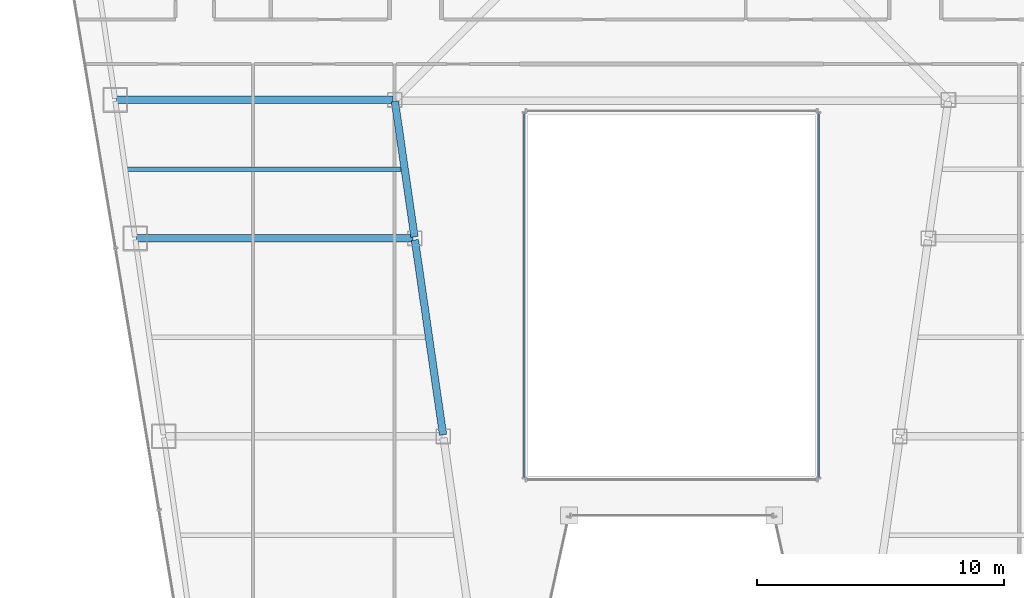
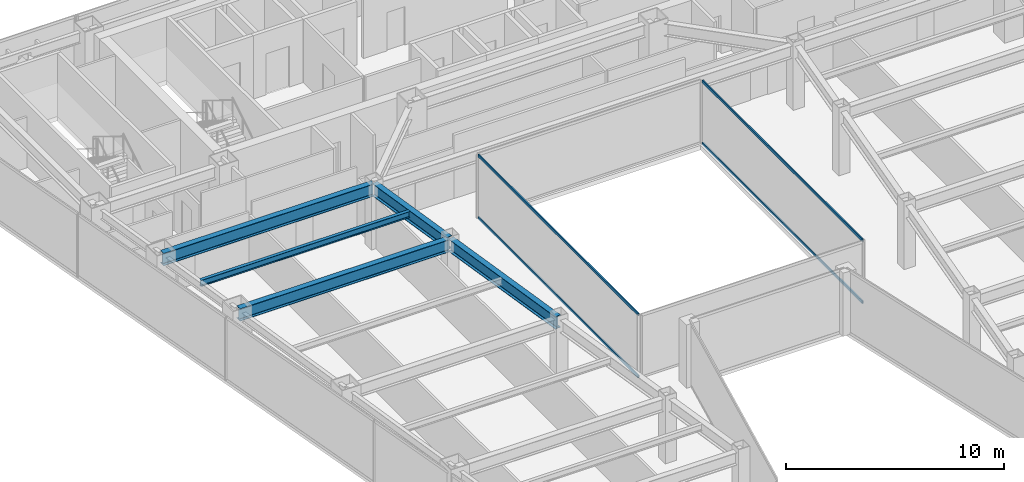
# One storey, part 10 of 37: 5 beams, 4 members, 2 elements without a shape of their own.
"""IFC4 building model written with IfcOpenShell, lengths in metres."""

from ifc_helpers import new_model, si_unit, direction, frame, origin, origin_2d, place, context, subcontext, project, spatial, hollow_rectangle, i_section, extrude, material, material_profile, profile_set, type_object, element, aggregate, save


model = new_model("IFC4")

# Units and contexts
model_context = context("Model", 3, precision=1e-05, world=origin(), true_north=direction((0.0, 1.0)))
body_context = subcontext(model_context, "Body", "Model", "MODEL_VIEW")
ifc_project = project(units=[si_unit("LENGTHUNIT", "METRE"), si_unit("AREAUNIT", "SQUARE_METRE"), si_unit("VOLUMEUNIT", "CUBIC_METRE"), si_unit("PLANEANGLEUNIT", "RADIAN"), si_unit("MASSUNIT", "GRAM", prefix="KILO")], contexts=[model_context])

# Site, building, storey
site_placement = place(None, origin())
site = spatial("IfcSite", under=ifc_project, at=site_placement, CompositionType="ELEMENT")
building_placement = place(site_placement, origin())
building = spatial("IfcBuilding", under=site, at=building_placement, Name="Saevonmaru Cultural Tower", CompositionType="ELEMENT")
storey_placement = place(building_placement, frame((0.0, 0.0, 160.0)))
storey = spatial("IfcBuildingStorey", under=building, at=storey_placement, Name="L35", CompositionType="ELEMENT", Elevation=160.0)

# Beams
ifc_material_1 = material(Name="Steel SM355", Category="steel")
ifc_material_profile_1 = material_profile(ifc_material_1, i_section(OverallWidth=0.300048828125, OverallDepth=0.699951171875, WebThickness=0.012939453125, FlangeThickness=0.02392578125, FilletRadius=0.02587890625, at=origin_2d()), Name="H-700x300x13x24")
ifc_profile_set_1 = profile_set([ifc_material_profile_1], Name="Steel SM355")
beam_type_1 = type_object("IfcBeamType", Name="BM-G-H700", PredefinedType="BEAM", material=ifc_profile_set_1)
beam_1_placement = place(storey_placement, frame((20.763427734375, 24.059326171875, 3.199951171875), z_axis=(-0.142902032203, 0.989736838353, 0.0), x_axis=(-0.989736838353, -0.142902032203, 0.0)))
element("IfcBeam", 1, at=beam_1_placement, inside=storey, type_object=beam_type_1, Name="L35 West Atrium Girder 3", PredefinedType="BEAM", context=body_context, shape_type="SweptSolid", body=[
    extrude(i_section(OverallWidth=0.300048828125, OverallDepth=0.699951171875, WebThickness=0.012939453125, FlangeThickness=0.02392578125, FilletRadius=0.02587890625, at=origin_2d()), origin(), (0.0, 0.0, 1.0), 7.963134765625),
])
beam_2_placement = place(storey_placement, frame((19.6083984375, 32.059326171875, 3.199951171875), z_axis=(-0.142964121327, 0.989727871697, 0.0), x_axis=(-0.989727871697, -0.142964121327, 0.0)))
element("IfcBeam", 2, at=beam_2_placement, inside=storey, type_object=beam_type_1, Name="L35 West Atrium Girder 4", PredefinedType="BEAM", context=body_context, shape_type="SweptSolid", body=[
    extrude(i_section(OverallWidth=0.300048828125, OverallDepth=0.699951171875, WebThickness=0.012939453125, FlangeThickness=0.02392578125, FilletRadius=0.02587890625, at=origin_2d()), origin(), (0.0, 0.0, 1.0), 5.5380859375),
])
for number, where, z_axis, x_axis, name in (
    (3, (8.376953125, 32.0, 3.199951171875), (1.0, 0.0, 0.0), (0.0, 1.0, 0.0), "L35 West Wing Transverse Girder 4"),
    (4, (7.568115234375, 37.60009765625, 3.199951171875), (1.0, 0.0, 0.0), (0.0, 1.0, 0.0), "L35 West Wing Transverse Girder 5"),
):
    element("IfcBeam", number, at=place(storey_placement, frame(where, z_axis=z_axis, x_axis=x_axis)), inside=storey, type_object=beam_type_1, Name=name, PredefinedType="BEAM", context=body_context, shape_type="SweptSolid", body=[
        extrude(i_section(OverallWidth=0.300048828125, OverallDepth=0.699951171875, WebThickness=0.012939453125, FlangeThickness=0.02392578125, FilletRadius=0.02587890625, at=origin_2d()), origin(), (0.0, 0.0, 1.0), 11.179931640625),
    ])
ifc_material_profile_2 = material_profile(ifc_material_1, i_section(OverallWidth=0.175048828125, OverallDepth=0.35009765625, WebThickness=0.007080078125, FlangeThickness=0.010986328125, FilletRadius=0.012939453125, at=origin_2d()), Name="H-350x175x7x11")
ifc_profile_set_2 = profile_set([ifc_material_profile_2], Name="Steel SM355")
beam_type_2 = type_object("IfcBeamType", Name="BM-J-H350", PredefinedType="JOIST", material=ifc_profile_set_2)
beam_3_placement = place(storey_placement, frame((7.972412109375, 34.800048828125, 3.375), z_axis=(1.0, 0.0, 0.0), x_axis=(0.0, 1.0, 0.0)))
element("IfcBeam", 5, at=beam_3_placement, inside=storey, type_object=beam_type_2, Name="L35 West Wing Floor Joist 4", PredefinedType="JOIST", context=body_context, shape_type="SweptSolid", body=[
    extrude(i_section(OverallWidth=0.175048828125, OverallDepth=0.35009765625, WebThickness=0.007080078125, FlangeThickness=0.010986328125, FilletRadius=0.012939453125, at=origin_2d()), origin(), (0.0, 0.0, 1.0), 11.08203125),
])

# Curtain wall, members
ifc_material_2 = material(Name="Satin Bronze Anodised Aluminium", Category="aluminium")
curtain_wall_type = type_object("IfcCurtainWallType", Name="CW-ATR-GLZ", PredefinedType="NOTDEFINED", material=ifc_material_2)
curtain_wall_1_placement = place(storey_placement, origin())
curtain_wall_1 = element("IfcCurtainWall", 6, at=curtain_wall_1_placement, inside=storey, type_object=curtain_wall_type, Name="L35 Vertical Atrium Glazed Smoke Screen 2", PredefinedType="NOTDEFINED")
ifc_material_profile_3 = material_profile(ifc_material_2, hollow_rectangle(XDim=0.06494140625, YDim=0.14990234375, WallThickness=0.00390625, at=origin_2d()), Name="ALU-TRAN-150x65x4")
ifc_profile_set_3 = profile_set([ifc_material_profile_3], Name="Satin Bronze Anodised Aluminium")
member_type = type_object("IfcMemberType", Name="TR-CW-INT-150x65", PredefinedType="USERDEFINED", material=ifc_profile_set_3)
member_1_placement = place(storey_placement, frame((35.949951171875, 22.342529296875, 0.032470703125), z_axis=(0.0, 1.0, 0.0), x_axis=(-1.0, 0.0, 0.0)))
member_1 = element("IfcMember", 7, at=member_1_placement, type_object=member_type, Name="CW-ATR-L35-2 transom 1.1", ObjectType="TRANSOM", PredefinedType="USERDEFINED", context=body_context, shape_type="SweptSolid", body=[
    extrude(hollow_rectangle(XDim=0.06494140625, YDim=0.14990234375, WallThickness=0.00390625, at=origin_2d()), origin(), (0.0, 0.0, 1.0), 14.715087890625),
])
member_2_placement = place(storey_placement, frame((35.949951171875, 22.342529296875, 3.517578125), z_axis=(0.0, 1.0, 0.0), x_axis=(-1.0, 0.0, 0.0)))
member_2 = element("IfcMember", 8, at=member_2_placement, type_object=member_type, Name="CW-ATR-L35-2 transom 1.2", ObjectType="TRANSOM", PredefinedType="USERDEFINED", context=body_context, shape_type="SweptSolid", body=[
    extrude(hollow_rectangle(XDim=0.06494140625, YDim=0.14990234375, WallThickness=0.00390625, at=origin_2d()), origin(), (0.0, 0.0, 1.0), 14.715087890625),
])
aggregate(curtain_wall_1, [member_1, member_2])

curtain_wall_2_placement = place(storey_placement, origin())
curtain_wall_2 = element("IfcCurtainWall", 9, at=curtain_wall_2_placement, inside=storey, type_object=curtain_wall_type, Name="L35 Vertical Atrium Glazed Smoke Screen 4", PredefinedType="NOTDEFINED")
member_3_placement = place(storey_placement, frame((24.050048828125, 37.0576171875, 0.032470703125), z_axis=(0.0, -1.0, 0.0), x_axis=(1.0, 0.0, 0.0)))
member_3 = element("IfcMember", 10, at=member_3_placement, type_object=member_type, Name="CW-ATR-L35-4 transom 1.1", ObjectType="TRANSOM", PredefinedType="USERDEFINED", context=body_context, shape_type="SweptSolid", body=[
    extrude(hollow_rectangle(XDim=0.06494140625, YDim=0.14990234375, WallThickness=0.00390625, at=origin_2d()), origin(), (0.0, 0.0, 1.0), 14.715087890625),
])
member_4_placement = place(storey_placement, frame((24.050048828125, 37.0576171875, 3.517578125), z_axis=(0.0, -1.0, 0.0), x_axis=(1.0, 0.0, 0.0)))
member_4 = element("IfcMember", 11, at=member_4_placement, type_object=member_type, Name="CW-ATR-L35-4 transom 1.2", ObjectType="TRANSOM", PredefinedType="USERDEFINED", context=body_context, shape_type="SweptSolid", body=[
    extrude(hollow_rectangle(XDim=0.06494140625, YDim=0.14990234375, WallThickness=0.00390625, at=origin_2d()), origin(), (0.0, 0.0, 1.0), 14.715087890625),
])
aggregate(curtain_wall_2, [member_3, member_4])

save(model, "model.ifc")
